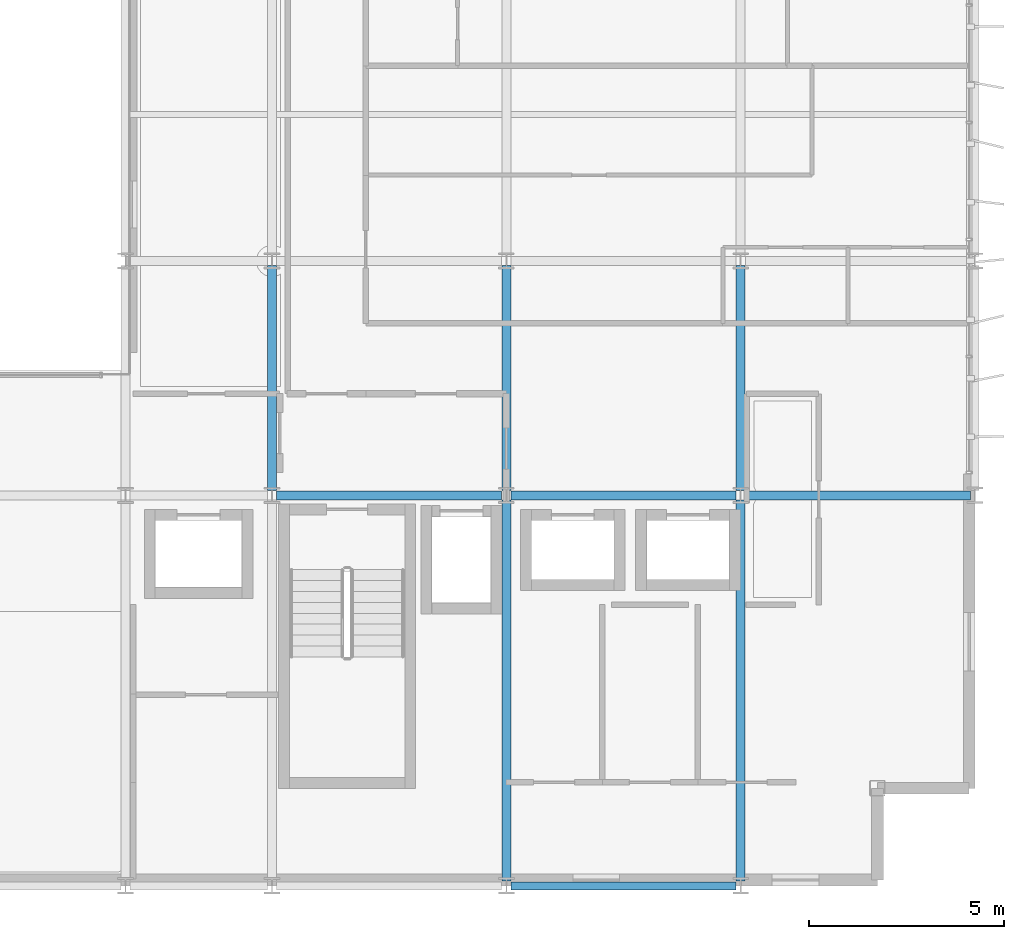
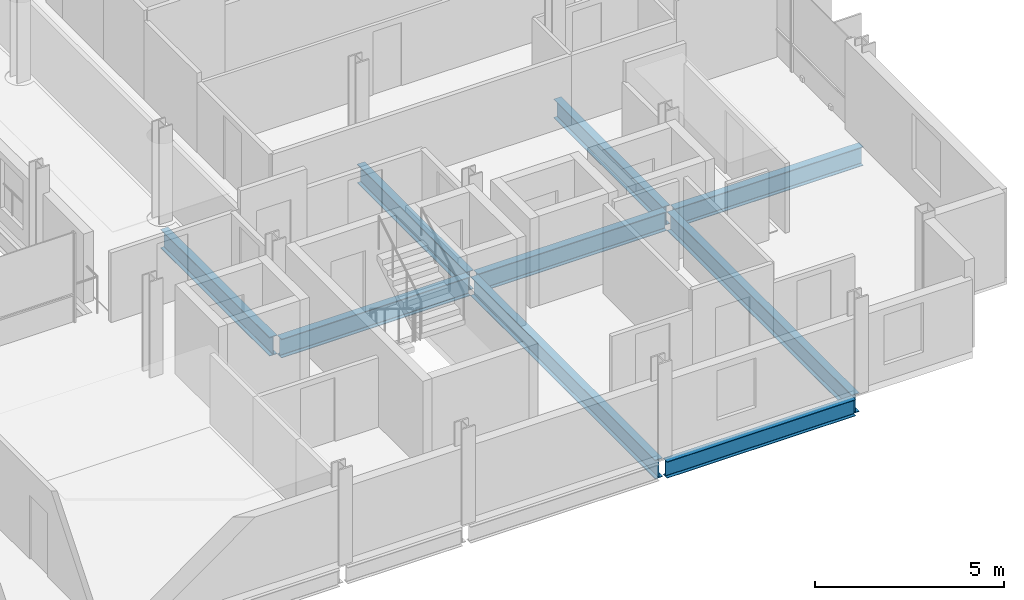
# One storey, part 16 of 40: 9 beams.
"""IFC4 building model written with IfcOpenShell, lengths in metres."""

from ifc_helpers import new_model, si_unit, direction, frame, origin, origin_2d, place, context, subcontext, project, spatial, i_section, extrude, material, material_profile, profile_set, type_object, element, save


model = new_model("IFC4")

# Units and contexts
model_context = context("Model", 3, precision=1e-05, world=origin(), true_north=direction((0.0, 1.0)))
body_context = subcontext(model_context, "Body", "Model", "MODEL_VIEW")
ifc_project = project(units=[si_unit("LENGTHUNIT", "METRE"), si_unit("AREAUNIT", "SQUARE_METRE"), si_unit("VOLUMEUNIT", "CUBIC_METRE"), si_unit("PLANEANGLEUNIT", "RADIAN"), si_unit("MASSUNIT", "GRAM", prefix="KILO")], contexts=[model_context])

# Site, building, storey
site_placement = place(None, origin())
site = spatial("IfcSite", under=ifc_project, at=site_placement, CompositionType="ELEMENT")
building_placement = place(site_placement, origin())
building = spatial("IfcBuilding", under=site, at=building_placement, Name="Brevholm Reach", CompositionType="ELEMENT")
storey_placement = place(building_placement, frame((0.0, 0.0, 148.0)))
storey = spatial("IfcBuildingStorey", under=building, at=storey_placement, Name="L44", CompositionType="ELEMENT", Elevation=148.0)

# Beams
ifc_material_1 = material(Name="Structural Steel S355J2", Category="steel")
ifc_material_profile_1 = material_profile(ifc_material_1, i_section(OverallWidth=0.209228515625, OverallDepth=0.533203125, WebThickness=0.010009765625, FlangeThickness=0.015625, FilletRadius=0.0126953125, at=origin_2d()), Name="UKB 533x210x92")
ifc_profile_set_1 = profile_set([ifc_material_profile_1], Name="Structural Steel S355J2")
beam_type_1 = type_object("IfcBeamType", Name="BM-SP533", PredefinedType="SPANDREL", material=ifc_profile_set_1)
beam_1_placement = place(storey_placement, frame((48.1201171875, 0.0, -0.486572265625), z_axis=(1.0, 0.0, 0.0), x_axis=(0.0, 1.0, 0.0)))
element("IfcBeam", 1, at=beam_1_placement, inside=storey, type_object=beam_type_1, Name="L44 SP-02 Framing Beam", PredefinedType="SPANDREL", context=body_context, shape_type="SweptSolid", body=[
    extrude(i_section(OverallWidth=0.209228515625, OverallDepth=0.533203125, WebThickness=0.010009765625, FlangeThickness=0.015625, FilletRadius=0.0126953125, at=origin_2d()), origin(), (0.0, 0.0, 1.0), 5.759765625),
])
ifc_material_2 = material(Name="Structural Steel S355J2", Category="steel")
ifc_material_profile_2 = material_profile(ifc_material_2, i_section(OverallWidth=0.22900390625, OverallDepth=0.6123046875, WebThickness=0.011962890625, FlangeThickness=0.01953125, FilletRadius=0.0126953125, at=origin_2d()), Name="UKB 610x229x125")
ifc_profile_set_2 = profile_set([ifc_material_profile_2], Name="Structural Steel S355J2")
beam_type_2 = type_object("IfcBeamType", Name="BM-SP610", PredefinedType="SPANDREL", material=ifc_profile_set_2)
for number, where, z_axis, x_axis, name in (
    (2, (42.1201171875, 10.0, -0.526123046875), (1.0, 0.0, 0.0), (0.0, 1.0, 0.0), "L44 SP-01 Framing Beam"),
    (3, (48.1201171875, 10.0, -0.526123046875), (1.0, 0.0, 0.0), (0.0, 1.0, 0.0), "L44 SP-01 Framing Beam"),
    (4, (54.1201171875, 10.0, -0.526123046875), (1.0, 0.0, 0.0), (0.0, 1.0, 0.0), "L44 SP-01 Framing Beam"),
    (5, (42.0, 10.1201171875, -0.526123046875), (0.0, 1.0, 0.0), (-1.0, 0.0, 0.0), "L44 SP-01 Framing Beam"),
):
    element("IfcBeam", number, at=place(storey_placement, frame(where, z_axis=z_axis, x_axis=x_axis)), inside=storey, type_object=beam_type_2, Name=name, PredefinedType="SPANDREL", context=body_context, shape_type="SweptSolid", body=[
        extrude(i_section(OverallWidth=0.22900390625, OverallDepth=0.6123046875, WebThickness=0.011962890625, FlangeThickness=0.01953125, FilletRadius=0.0126953125, at=origin_2d()), origin(), (0.0, 0.0, 1.0), 5.759765625),
    ])
beam_2_placement = place(storey_placement, frame((48.0, 0.1201171875, -0.526123046875), z_axis=(0.0, 1.0, 0.0), x_axis=(-1.0, 0.0, 0.0)))
element("IfcBeam", 6, at=beam_2_placement, inside=storey, type_object=beam_type_2, Name="L44 SP-01 Framing Beam", PredefinedType="SPANDREL", context=body_context, shape_type="SweptSolid", body=[
    extrude(i_section(OverallWidth=0.22900390625, OverallDepth=0.6123046875, WebThickness=0.011962890625, FlangeThickness=0.01953125, FilletRadius=0.0126953125, at=origin_2d()), origin(), (0.0, 0.0, 1.0), 9.759765625),
])
beam_3_placement = place(storey_placement, frame((48.0, 10.1201171875, -0.526123046875), z_axis=(0.0, 1.0, 0.0), x_axis=(-1.0, 0.0, 0.0)))
element("IfcBeam", 7, at=beam_3_placement, inside=storey, type_object=beam_type_2, Name="L44 SP-01 Framing Beam", PredefinedType="SPANDREL", context=body_context, shape_type="SweptSolid", body=[
    extrude(i_section(OverallWidth=0.22900390625, OverallDepth=0.6123046875, WebThickness=0.011962890625, FlangeThickness=0.01953125, FilletRadius=0.0126953125, at=origin_2d()), origin(), (0.0, 0.0, 1.0), 5.759765625),
])
beam_4_placement = place(storey_placement, frame((54.0, 0.1201171875, -0.526123046875), z_axis=(0.0, 1.0, 0.0), x_axis=(-1.0, 0.0, 0.0)))
element("IfcBeam", 8, at=beam_4_placement, inside=storey, type_object=beam_type_2, Name="L44 SP-01 Framing Beam", PredefinedType="SPANDREL", context=body_context, shape_type="SweptSolid", body=[
    extrude(i_section(OverallWidth=0.22900390625, OverallDepth=0.6123046875, WebThickness=0.011962890625, FlangeThickness=0.01953125, FilletRadius=0.0126953125, at=origin_2d()), origin(), (0.0, 0.0, 1.0), 9.759765625),
])
beam_5_placement = place(storey_placement, frame((54.0, 10.1201171875, -0.526123046875), z_axis=(0.0, 1.0, 0.0), x_axis=(-1.0, 0.0, 0.0)))
element("IfcBeam", 9, at=beam_5_placement, inside=storey, type_object=beam_type_2, Name="L44 SP-01 Framing Beam", PredefinedType="SPANDREL", context=body_context, shape_type="SweptSolid", body=[
    extrude(i_section(OverallWidth=0.22900390625, OverallDepth=0.6123046875, WebThickness=0.011962890625, FlangeThickness=0.01953125, FilletRadius=0.0126953125, at=origin_2d()), origin(), (0.0, 0.0, 1.0), 5.759765625),
])

save(model, "model.ifc")
